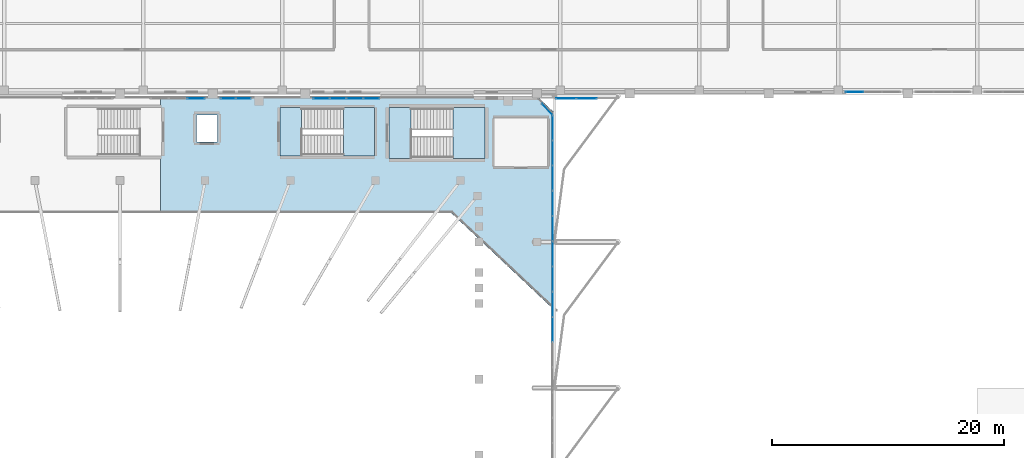
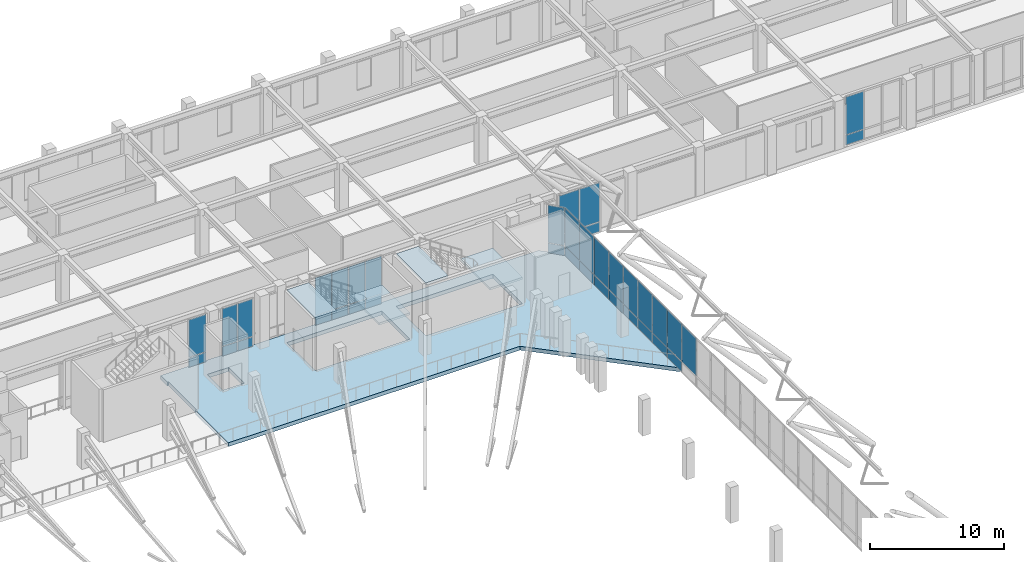
# One storey, part 48 of 79: 39 plates, 5 slabs, 9 elements without a shape of their own.
"""IFC4 building model written with IfcOpenShell, lengths in metres."""

from ifc_helpers import new_model, si_unit, derived_unit, direction, frame, origin, origin_2d, place, context, subcontext, project, spatial, polyline, rectangle, outline, extrude, material, layer, layer_set, type_object, element, aggregate, save


model = new_model("IFC4")

# Units and contexts
model_context = context("Model", 3, precision=1e-05, world=origin(), true_north=direction((0.0, 1.0)))
body_context = subcontext(model_context, "Body", "Model", "MODEL_VIEW")
ifc_project = project(units=[si_unit("LENGTHUNIT", "METRE"), si_unit("AREAUNIT", "SQUARE_METRE"), si_unit("VOLUMEUNIT", "CUBIC_METRE"), si_unit("PLANEANGLEUNIT", "RADIAN"), si_unit("MASSUNIT", "GRAM", prefix="KILO"), derived_unit("THERMALTRANSMITTANCEUNIT", [(si_unit("MASSUNIT", "GRAM", prefix="KILO"), 1), (si_unit("TIMEUNIT", "SECOND"), -3), (si_unit("THERMODYNAMICTEMPERATUREUNIT", "KELVIN"), -1)])], contexts=[model_context])

# Site, building, storey
site_placement = place(None, origin())
site = spatial("IfcSite", under=ifc_project, at=site_placement, CompositionType="ELEMENT")
building_placement = place(site_placement, origin())
building = spatial("IfcBuilding", under=site, at=building_placement, Name="Valcora Ridge Arena", CompositionType="ELEMENT")
storey_placement = place(building_placement, frame((0.0, 0.0, 16.199951171875)))
storey = spatial("IfcBuildingStorey", under=building, at=storey_placement, Name="L03", CompositionType="ELEMENT", Elevation=16.199951171875)

# Stair, slabs
ifc_material_1 = material(Name="Concrete C40/50", Category="concrete")
stair_type_1 = type_object("IfcStairType", Name="TY-STAIR-ES04-48", PredefinedType="HALF_TURN_STAIR", material=ifc_material_1)
stair_1_placement = place(storey_placement, origin())
stair_1 = element("IfcStair", 1, at=stair_1_placement, inside=storey, type_object=stair_type_1, Name="ES04-48 STR-ES-0016", PredefinedType="HALF_TURN_STAIR")
ifc_layer_1 = layer(ifc_material_1, 0.199951171875, Name="Concrete C40/50")
ifc_layer_set_1 = layer_set([ifc_layer_1], Name="Concrete C40/50")
slab_type_1 = type_object("IfcSlabType", Name="TY-LAND-ES04-48", PredefinedType="LANDING", material=ifc_layer_set_1)
slab_1_placement = place(storey_placement, frame((0.0, 0.0, 2.199951171875)))
slab_1 = element("IfcSlab", 2, at=slab_1_placement, type_object=slab_type_1, Name="ES04-48 landing 1", PredefinedType="LANDING", context=body_context, shape_type="SweptSolid", body=[
    extrude(outline(polyline([(77.280029296875, 103.001953125), (79.9580078125, 103.001953125), (79.9580078125, 107.197998046875), (77.280029296875, 107.197998046875), (77.280029296875, 103.001953125)])), origin(), (0.0, 0.0, 1.0), 0.2001953125),
])
slab_2_placement = place(storey_placement, frame((0.0, 0.0, 4.60009765625)))
slab_2 = element("IfcSlab", 3, at=slab_2_placement, type_object=slab_type_1, Name="ES04-48 landing 2", PredefinedType="LANDING", context=body_context, shape_type="SweptSolid", body=[
    extrude(outline(polyline([(71.802001953125, 103.001953125), (73.679931640625, 103.001953125), (73.679931640625, 107.197998046875), (71.802001953125, 107.197998046875), (71.802001953125, 103.001953125)])), origin(), (0.0, 0.0, 1.0), 0.199951171875),
])
aggregate(stair_1, [slab_1, slab_2])

stair_type_2 = type_object("IfcStairType", Name="TY-STAIR-ST04-48", PredefinedType="HALF_TURN_STAIR", material=ifc_material_1)
stair_2_placement = place(storey_placement, origin())
stair_2 = element("IfcStair", 4, at=stair_2_placement, inside=storey, type_object=stair_type_2, Name="ST04-48 STR-CR-0022", PredefinedType="HALF_TURN_STAIR")
ifc_layer_2 = layer(ifc_material_1, 0.199951171875, Name="Concrete C40/50")
ifc_layer_set_2 = layer_set([ifc_layer_2], Name="Concrete C40/50")
slab_type_2 = type_object("IfcSlabType", Name="TY-LAND-ST04-48", PredefinedType="LANDING", material=ifc_layer_set_2)
slab_3_placement = place(storey_placement, frame((0.0, 0.0, 2.199951171875)))
slab_3 = element("IfcSlab", 5, at=slab_3_placement, type_object=slab_type_2, Name="ST04-48 landing 1", PredefinedType="LANDING", context=body_context, shape_type="SweptSolid", body=[
    extrude(outline(polyline([(86.72998046875, 102.802001953125), (89.51806640625, 102.802001953125), (89.51806640625, 107.197998046875), (86.72998046875, 107.197998046875), (86.72998046875, 102.802001953125)])), origin(), (0.0, 0.0, 1.0), 0.2001953125),
])
slab_4_placement = place(storey_placement, frame((0.0, 0.0, 4.60009765625)))
slab_4 = element("IfcSlab", 6, at=slab_4_placement, type_object=slab_type_2, Name="ST04-48 landing 2", PredefinedType="LANDING", context=body_context, shape_type="SweptSolid", body=[
    extrude(outline(polyline([(81.201904296875, 102.802001953125), (83.1298828125, 102.802001953125), (83.1298828125, 107.197998046875), (81.201904296875, 107.197998046875), (81.201904296875, 102.802001953125)])), origin(), (0.0, 0.0, 1.0), 0.199951171875),
])
aggregate(stair_2, [slab_3, slab_4])

# Curtain wall, plates
ifc_material_2 = material(Name="Anodised dark bronze architectural aluminium 6063-T6", Category="aluminium")
ifc_layer_3 = layer(ifc_material_2, 0.179931640625, Name="Anodised dark bronze architectural aluminium 6063-T6")
ifc_layer_set_3 = layer_set([ifc_layer_3], Name="Anodised dark bronze architectural aluminium 6063-T6")
curtain_wall_type_1 = type_object("IfcCurtainWallType", Name="TY-CURTAINWALL-CW-V1-GOTH-027X44", PredefinedType="NOTDEFINED", material=ifc_layer_set_3)
curtain_wall_1_placement = place(storey_placement, origin())
curtain_wall_1 = element("IfcCurtainWall", 7, at=curtain_wall_1_placement, inside=storey, type_object=curtain_wall_type_1, Name="CW-V1-GOTH-027X44 CW-0144", PredefinedType="NOTDEFINED")
ifc_material_3 = material(Name="Low-iron solar-control double glazing SHGC 0.28", Category="glass")
ifc_layer_4 = layer(ifc_material_3, 0.031982421875, Name="Low-iron solar-control double glazing SHGC 0.28")
ifc_layer_set_4 = layer_set([ifc_layer_4], Name="Low-iron solar-control double glazing SHGC 0.28")
plate_type_1 = type_object("IfcPlateType", Name="TY-PLT-CWP-1270X0860", PredefinedType="CURTAIN_PANEL", material=ifc_layer_set_4)
plate_1_placement = place(storey_placement, frame((67.3349609375, 108.0, 0.06005859375), z_axis=(0.0, 0.0, 1.0), x_axis=(1.0, 0.0, 0.0)))
plate_1 = element("IfcPlate", 8, at=plate_1_placement, type_object=plate_type_1, Name="CW-0144/P00-00", PredefinedType="CURTAIN_PANEL", context=body_context, shape_type="SweptSolid", body=[
    extrude(rectangle(XDim=1.27001953125, YDim=0.031982421875, at=origin_2d()), origin(), (0.0, 0.0, 1.0), 0.860107421875),
])
plate_2_placement = place(storey_placement, frame((68.6650390625, 108.0, 0.06005859375), z_axis=(0.0, 0.0, 1.0), x_axis=(1.0, 0.0, 0.0)))
plate_2 = element("IfcPlate", 9, at=plate_2_placement, type_object=plate_type_1, Name="CW-0144/P01-00", PredefinedType="CURTAIN_PANEL", context=body_context, shape_type="SweptSolid", body=[
    extrude(rectangle(XDim=1.27001953125, YDim=0.031982421875, at=origin_2d()), origin(), (0.0, 0.0, 1.0), 0.860107421875),
])
ifc_layer_5 = layer(ifc_material_3, 0.031982421875, Name="Low-iron solar-control double glazing SHGC 0.28")
ifc_layer_set_5 = layer_set([ifc_layer_5], Name="Low-iron solar-control double glazing SHGC 0.28")
plate_type_2 = type_object("IfcPlateType", Name="TY-PLT-CWP-1270X3400", PredefinedType="CURTAIN_PANEL", material=ifc_layer_set_5)
plate_3_placement = place(storey_placement, frame((67.3349609375, 108.0, 0.97998046875), z_axis=(0.0, 0.0, 1.0), x_axis=(1.0, 0.0, 0.0)))
plate_3 = element("IfcPlate", 10, at=plate_3_placement, type_object=plate_type_2, Name="CW-0144/P00-01", PredefinedType="CURTAIN_PANEL", context=body_context, shape_type="SweptSolid", body=[
    extrude(rectangle(XDim=1.27001953125, YDim=0.031982421875, at=origin_2d()), origin(), (0.0, 0.0, 1.0), 3.39990234375),
])
plate_4_placement = place(storey_placement, frame((68.6650390625, 108.0, 0.97998046875), z_axis=(0.0, 0.0, 1.0), x_axis=(1.0, 0.0, 0.0)))
plate_4 = element("IfcPlate", 11, at=plate_4_placement, type_object=plate_type_2, Name="CW-0144/P01-01", PredefinedType="CURTAIN_PANEL", context=body_context, shape_type="SweptSolid", body=[
    extrude(rectangle(XDim=1.27001953125, YDim=0.031982421875, at=origin_2d()), origin(), (0.0, 0.0, 1.0), 3.39990234375),
])
aggregate(curtain_wall_1, [plate_1, plate_3, plate_2, plate_4])

ifc_layer_6 = layer(ifc_material_2, 0.14990234375, Name="Anodised dark bronze architectural aluminium 6063-T6")
ifc_layer_set_6 = layer_set([ifc_layer_6], Name="Anodised dark bronze architectural aluminium 6063-T6")
curtain_wall_type_2 = type_object("IfcCurtainWallType", Name="TY-CURTAINWALL-CW-V1-EAST-014X44", PredefinedType="NOTDEFINED", material=ifc_layer_set_6)
curtain_wall_2_placement = place(storey_placement, origin())
curtain_wall_2 = element("IfcCurtainWall", 12, at=curtain_wall_2_placement, inside=storey, type_object=curtain_wall_type_2, Name="CW-V1-EAST-014X44 CW-0148", PredefinedType="NOTDEFINED")
ifc_layer_7 = layer(ifc_material_3, 0.028076171875, Name="Low-iron solar-control double glazing SHGC 0.28")
ifc_layer_set_7 = layer_set([ifc_layer_7], Name="Low-iron solar-control double glazing SHGC 0.28")
plate_type_3 = type_object("IfcPlateType", Name="TY-PLT-CWP-1287X0875", PredefinedType="CURTAIN_PANEL", material=ifc_layer_set_7)
plate_5_placement = place(storey_placement, frame((94.878173828125, 107.054443359375, 0.050048828125), z_axis=(0.0, 0.0, 1.0), x_axis=(-0.680491979132, 0.732755529721, 0.0)))
plate_5 = element("IfcPlate", 13, at=plate_5_placement, type_object=plate_type_3, Name="CW-0148/P00-00", PredefinedType="CURTAIN_PANEL", context=body_context, shape_type="SweptSolid", body=[
    extrude(rectangle(XDim=1.287109375, YDim=0.028076171875, at=origin_2d()), origin(), (0.0, 0.0, 1.0), 0.875),
])
ifc_layer_8 = layer(ifc_material_3, 0.028076171875, Name="Low-iron solar-control double glazing SHGC 0.28")
ifc_layer_set_8 = layer_set([ifc_layer_8], Name="Low-iron solar-control double glazing SHGC 0.28")
plate_type_4 = type_object("IfcPlateType", Name="TY-PLT-CWP-1287X3415", PredefinedType="CURTAIN_PANEL", material=ifc_layer_set_8)
plate_6_placement = place(storey_placement, frame((94.878173828125, 107.054443359375, 0.97509765625), z_axis=(0.0, 0.0, 1.0), x_axis=(-0.680491979132, 0.732755529721, 0.0)))
plate_6 = element("IfcPlate", 14, at=plate_6_placement, type_object=plate_type_4, Name="CW-0148/P00-01", PredefinedType="CURTAIN_PANEL", context=body_context, shape_type="SweptSolid", body=[
    extrude(rectangle(XDim=1.287109375, YDim=0.028076171875, at=origin_2d()), origin(), (0.0, 0.0, 1.0), 3.4150390625),
])
aggregate(curtain_wall_2, [plate_5, plate_6])

ifc_layer_9 = layer(ifc_material_2, 0.179931640625, Name="Anodised dark bronze architectural aluminium 6063-T6")
ifc_layer_set_9 = layer_set([ifc_layer_9], Name="Anodised dark bronze architectural aluminium 6063-T6")
curtain_wall_type_3 = type_object("IfcCurtainWallType", Name="TY-CURTAINWALL-CW-V1-GOTH-058X44", PredefinedType="NOTDEFINED", material=ifc_layer_set_9)
curtain_wall_3_placement = place(storey_placement, origin())
curtain_wall_3 = element("IfcCurtainWall", 15, at=curtain_wall_3_placement, inside=storey, type_object=curtain_wall_type_3, Name="CW-V1-GOTH-058X44 CW-0145", PredefinedType="NOTDEFINED")
ifc_layer_10 = layer(ifc_material_3, 0.031982421875, Name="Low-iron solar-control double glazing SHGC 0.28")
ifc_layer_set_10 = layer_set([ifc_layer_10], Name="Low-iron solar-control double glazing SHGC 0.28")
plate_type_5 = type_object("IfcPlateType", Name="TY-PLT-CWP-1362X0860", PredefinedType="CURTAIN_PANEL", material=ifc_layer_set_10)
plate_7_placement = place(storey_placement, frame((75.381103515625, 108.0, 0.06005859375), z_axis=(0.0, 0.0, 1.0), x_axis=(1.0, 0.0, 0.0)))
plate_7 = element("IfcPlate", 16, at=plate_7_placement, type_object=plate_type_5, Name="CW-0145/P00-00", PredefinedType="CURTAIN_PANEL", context=body_context, shape_type="SweptSolid", body=[
    extrude(rectangle(XDim=1.362060546875, YDim=0.031982421875, at=origin_2d()), origin(), (0.0, 0.0, 1.0), 0.860107421875),
])
plate_8_placement = place(storey_placement, frame((79.708984375, 108.0, 0.06005859375), z_axis=(0.0, 0.0, 1.0), x_axis=(1.0, 0.0, 0.0)))
plate_8 = element("IfcPlate", 17, at=plate_8_placement, type_object=plate_type_5, Name="CW-0145/P03-00", PredefinedType="CURTAIN_PANEL", context=body_context, shape_type="SweptSolid", body=[
    extrude(rectangle(XDim=1.362060546875, YDim=0.031982421875, at=origin_2d()), origin(), (0.0, 0.0, 1.0), 0.860107421875),
])
ifc_layer_11 = layer(ifc_material_3, 0.031982421875, Name="Low-iron solar-control double glazing SHGC 0.28")
ifc_layer_set_11 = layer_set([ifc_layer_11], Name="Low-iron solar-control double glazing SHGC 0.28")
plate_type_6 = type_object("IfcPlateType", Name="TY-PLT-CWP-1362X3400", PredefinedType="CURTAIN_PANEL", material=ifc_layer_set_11)
plate_9_placement = place(storey_placement, frame((75.381103515625, 108.0, 0.97998046875), z_axis=(0.0, 0.0, 1.0), x_axis=(1.0, 0.0, 0.0)))
plate_9 = element("IfcPlate", 18, at=plate_9_placement, type_object=plate_type_6, Name="CW-0145/P00-01", PredefinedType="CURTAIN_PANEL", context=body_context, shape_type="SweptSolid", body=[
    extrude(rectangle(XDim=1.362060546875, YDim=0.031982421875, at=origin_2d()), origin(), (0.0, 0.0, 1.0), 3.39990234375),
])
plate_10_placement = place(storey_placement, frame((79.708984375, 108.0, 0.97998046875), z_axis=(0.0, 0.0, 1.0), x_axis=(1.0, 0.0, 0.0)))
plate_10 = element("IfcPlate", 19, at=plate_10_placement, type_object=plate_type_6, Name="CW-0145/P03-01", PredefinedType="CURTAIN_PANEL", context=body_context, shape_type="SweptSolid", body=[
    extrude(rectangle(XDim=1.362060546875, YDim=0.031982421875, at=origin_2d()), origin(), (0.0, 0.0, 1.0), 3.39990234375),
])
ifc_layer_12 = layer(ifc_material_3, 0.031982421875, Name="Low-iron solar-control double glazing SHGC 0.28")
ifc_layer_set_12 = layer_set([ifc_layer_12], Name="Low-iron solar-control double glazing SHGC 0.28")
plate_type_7 = type_object("IfcPlateType", Name="TY-PLT-CWP-1392X0860", PredefinedType="CURTAIN_PANEL", material=ifc_layer_set_12)
plate_11_placement = place(storey_placement, frame((78.27099609375, 108.0, 0.06005859375), z_axis=(0.0, 0.0, 1.0), x_axis=(1.0, 0.0, 0.0)))
plate_11 = element("IfcPlate", 20, at=plate_11_placement, type_object=plate_type_7, Name="CW-0145/P02-00", PredefinedType="CURTAIN_PANEL", context=body_context, shape_type="SweptSolid", body=[
    extrude(rectangle(XDim=1.39208984375, YDim=0.031982421875, at=origin_2d()), origin(), (0.0, 0.0, 1.0), 0.860107421875),
])
ifc_layer_13 = layer(ifc_material_3, 0.031982421875, Name="Low-iron solar-control double glazing SHGC 0.28")
ifc_layer_set_13 = layer_set([ifc_layer_13], Name="Low-iron solar-control double glazing SHGC 0.28")
plate_type_8 = type_object("IfcPlateType", Name="TY-PLT-CWP-1392X3400", PredefinedType="CURTAIN_PANEL", material=ifc_layer_set_13)
plate_12_placement = place(storey_placement, frame((78.27099609375, 108.0, 0.97998046875), z_axis=(0.0, 0.0, 1.0), x_axis=(1.0, 0.0, 0.0)))
plate_12 = element("IfcPlate", 21, at=plate_12_placement, type_object=plate_type_8, Name="CW-0145/P02-01", PredefinedType="CURTAIN_PANEL", context=body_context, shape_type="SweptSolid", body=[
    extrude(rectangle(XDim=1.39208984375, YDim=0.031982421875, at=origin_2d()), origin(), (0.0, 0.0, 1.0), 3.39990234375),
])
ifc_layer_14 = layer(ifc_material_3, 0.031982421875, Name="Low-iron solar-control double glazing SHGC 0.28")
ifc_layer_set_14 = layer_set([ifc_layer_14], Name="Low-iron solar-control double glazing SHGC 0.28")
plate_type_9 = type_object("IfcPlateType", Name="TY-PLT-CWP-1393X0860", PredefinedType="CURTAIN_PANEL", material=ifc_layer_set_14)
plate_13_placement = place(storey_placement, frame((76.818603515625, 108.0, 0.06005859375), z_axis=(0.0, 0.0, 1.0), x_axis=(1.0, 0.0, 0.0)))
plate_13 = element("IfcPlate", 22, at=plate_13_placement, type_object=plate_type_9, Name="CW-0145/P01-00", PredefinedType="CURTAIN_PANEL", context=body_context, shape_type="SweptSolid", body=[
    extrude(rectangle(XDim=1.39306640625, YDim=0.031982421875, at=origin_2d()), origin(), (0.0, 0.0, 1.0), 0.860107421875),
])
ifc_layer_15 = layer(ifc_material_3, 0.031982421875, Name="Low-iron solar-control double glazing SHGC 0.28")
ifc_layer_set_15 = layer_set([ifc_layer_15], Name="Low-iron solar-control double glazing SHGC 0.28")
plate_type_10 = type_object("IfcPlateType", Name="TY-PLT-CWP-1393X3400", PredefinedType="CURTAIN_PANEL", material=ifc_layer_set_15)
plate_14_placement = place(storey_placement, frame((76.818603515625, 108.0, 0.97998046875), z_axis=(0.0, 0.0, 1.0), x_axis=(1.0, 0.0, 0.0)))
plate_14 = element("IfcPlate", 23, at=plate_14_placement, type_object=plate_type_10, Name="CW-0145/P01-01", PredefinedType="CURTAIN_PANEL", context=body_context, shape_type="SweptSolid", body=[
    extrude(rectangle(XDim=1.39306640625, YDim=0.031982421875, at=origin_2d()), origin(), (0.0, 0.0, 1.0), 3.39990234375),
])
aggregate(curtain_wall_3, [plate_7, plate_9, plate_13, plate_14, plate_11, plate_12, plate_8, plate_10])

ifc_layer_16 = layer(ifc_material_2, 0.179931640625, Name="Anodised dark bronze architectural aluminium 6063-T6")
ifc_layer_set_16 = layer_set([ifc_layer_16], Name="Anodised dark bronze architectural aluminium 6063-T6")
curtain_wall_type_4 = type_object("IfcCurtainWallType", Name="TY-CURTAINWALL-CW-V1-GOTH-047X44", PredefinedType="NOTDEFINED", material=ifc_layer_set_16)
curtain_wall_4_placement = place(storey_placement, origin())
curtain_wall_4 = element("IfcCurtainWall", 24, at=curtain_wall_4_placement, inside=storey, type_object=curtain_wall_type_4, Name="CW-V1-GOTH-047X44 CW-0143", PredefinedType="NOTDEFINED")
ifc_layer_17 = layer(ifc_material_3, 0.031982421875, Name="Low-iron solar-control double glazing SHGC 0.28")
ifc_layer_set_17 = layer_set([ifc_layer_17], Name="Low-iron solar-control double glazing SHGC 0.28")
plate_type_11 = type_object("IfcPlateType", Name="TY-PLT-CWP-1492X0860", PredefinedType="CURTAIN_PANEL", material=ifc_layer_set_17)
plate_15_placement = place(storey_placement, frame((64.553955078125, 108.0, 0.06005859375), z_axis=(0.0, 0.0, 1.0), x_axis=(1.0, 0.0, 0.0)))
plate_15 = element("IfcPlate", 25, at=plate_15_placement, type_object=plate_type_11, Name="CW-0143/P02-00", PredefinedType="CURTAIN_PANEL", context=body_context, shape_type="SweptSolid", body=[
    extrude(rectangle(XDim=1.491943359375, YDim=0.031982421875, at=origin_2d()), origin(), (0.0, 0.0, 1.0), 0.860107421875),
])
ifc_layer_18 = layer(ifc_material_3, 0.031982421875, Name="Low-iron solar-control double glazing SHGC 0.28")
ifc_layer_set_18 = layer_set([ifc_layer_18], Name="Low-iron solar-control double glazing SHGC 0.28")
plate_type_12 = type_object("IfcPlateType", Name="TY-PLT-CWP-1492X3400", PredefinedType="CURTAIN_PANEL", material=ifc_layer_set_18)
plate_16_placement = place(storey_placement, frame((64.553955078125, 108.0, 0.97998046875), z_axis=(0.0, 0.0, 1.0), x_axis=(1.0, 0.0, 0.0)))
plate_16 = element("IfcPlate", 26, at=plate_16_placement, type_object=plate_type_12, Name="CW-0143/P02-01", PredefinedType="CURTAIN_PANEL", context=body_context, shape_type="SweptSolid", body=[
    extrude(rectangle(XDim=1.491943359375, YDim=0.031982421875, at=origin_2d()), origin(), (0.0, 0.0, 1.0), 3.39990234375),
])
aggregate(curtain_wall_4, [plate_15, plate_16])

ifc_layer_19 = layer(ifc_material_2, 0.14990234375, Name="Anodised dark bronze architectural aluminium 6063-T6")
ifc_layer_set_19 = layer_set([ifc_layer_19], Name="Anodised dark bronze architectural aluminium 6063-T6")
curtain_wall_type_5 = type_object("IfcCurtainWallType", Name="TY-CURTAINWALL-CW-V5-MED-047X45", PredefinedType="NOTDEFINED", material=ifc_layer_set_19)
curtain_wall_5_placement = place(storey_placement, origin())
curtain_wall_5 = element("IfcCurtainWall", 27, at=curtain_wall_5_placement, inside=storey, type_object=curtain_wall_type_5, Name="CW-V5-MED-047X45 CW-0336", PredefinedType="NOTDEFINED")
ifc_layer_20 = layer(ifc_material_3, 0.028076171875, Name="Low-iron solar-control double glazing SHGC 0.28")
ifc_layer_set_20 = layer_set([ifc_layer_20], Name="Low-iron solar-control double glazing SHGC 0.28")
plate_type_13 = type_object("IfcPlateType", Name="TY-PLT-CWP-1507X0875", PredefinedType="CURTAIN_PANEL", material=ifc_layer_set_20)
plate_17_placement = place(storey_placement, frame((121.41845703125, 108.550048828125, 0.050048828125), z_axis=(0.0, 0.0, 1.0), x_axis=(1.0, 0.0, 0.0)))
plate_17 = element("IfcPlate", 28, at=plate_17_placement, type_object=plate_type_13, Name="CW-0336/P00-00", PredefinedType="CURTAIN_PANEL", context=body_context, shape_type="SweptSolid", body=[
    extrude(rectangle(XDim=1.507080078125, YDim=0.028076171875, at=origin_2d()), origin(), (0.0, 0.0, 1.0), 0.875),
])
ifc_layer_21 = layer(ifc_material_3, 0.028076171875, Name="Low-iron solar-control double glazing SHGC 0.28")
ifc_layer_set_21 = layer_set([ifc_layer_21], Name="Low-iron solar-control double glazing SHGC 0.28")
plate_type_14 = type_object("IfcPlateType", Name="TY-PLT-CWP-1507X3435", PredefinedType="CURTAIN_PANEL", material=ifc_layer_set_21)
plate_18_placement = place(storey_placement, frame((121.41845703125, 108.550048828125, 0.97509765625), z_axis=(0.0, 0.0, 1.0), x_axis=(1.0, 0.0, 0.0)))
plate_18 = element("IfcPlate", 29, at=plate_18_placement, type_object=plate_type_14, Name="CW-0336/P00-01", PredefinedType="CURTAIN_PANEL", context=body_context, shape_type="SweptSolid", body=[
    extrude(rectangle(XDim=1.507080078125, YDim=0.028076171875, at=origin_2d()), origin(), (0.0, 0.0, 1.0), 3.43505859375),
])
aggregate(curtain_wall_5, [plate_17, plate_18])

ifc_layer_22 = layer(ifc_material_2, 0.179931640625, Name="Anodised dark bronze architectural aluminium 6063-T6")
ifc_layer_set_22 = layer_set([ifc_layer_22], Name="Anodised dark bronze architectural aluminium 6063-T6")
curtain_wall_type_6 = type_object("IfcCurtainWallType", Name="TY-CURTAINWALL-CW-V1-TYMPN-036X46", PredefinedType="NOTDEFINED", material=ifc_layer_set_22)
curtain_wall_6_placement = place(storey_placement, origin())
curtain_wall_6 = element("IfcCurtainWall", 30, at=curtain_wall_6_placement, inside=storey, type_object=curtain_wall_type_6, Name="CW-V1-TYMPN-036X46 CW-0183", PredefinedType="NOTDEFINED")
ifc_layer_23 = layer(ifc_material_3, 0.031982421875, Name="Low-iron solar-control double glazing SHGC 0.28")
ifc_layer_set_23 = layer_set([ifc_layer_23], Name="Low-iron solar-control double glazing SHGC 0.28")
plate_type_15 = type_object("IfcPlateType", Name="TY-PLT-CWP-1710X0860", PredefinedType="CURTAIN_PANEL", material=ifc_layer_set_23)
plate_19_placement = place(storey_placement, frame((96.514892578125, 107.97998046875, 0.06005859375), z_axis=(0.0, 0.0, 1.0), x_axis=(1.0, 0.0, 0.0)))
plate_19 = element("IfcPlate", 31, at=plate_19_placement, type_object=plate_type_15, Name="CW-0183/P00-00", PredefinedType="CURTAIN_PANEL", context=body_context, shape_type="SweptSolid", body=[
    extrude(rectangle(XDim=1.7099609375, YDim=0.031982421875, at=origin_2d()), origin(), (0.0, 0.0, 1.0), 0.860107421875),
])
plate_20_placement = place(storey_placement, frame((98.284912109375, 107.97998046875, 0.06005859375), z_axis=(0.0, 0.0, 1.0), x_axis=(1.0, 0.0, 0.0)))
plate_20 = element("IfcPlate", 32, at=plate_20_placement, type_object=plate_type_15, Name="CW-0183/P01-00", PredefinedType="CURTAIN_PANEL", context=body_context, shape_type="SweptSolid", body=[
    extrude(rectangle(XDim=1.7099609375, YDim=0.031982421875, at=origin_2d()), origin(), (0.0, 0.0, 1.0), 0.860107421875),
])
ifc_layer_24 = layer(ifc_material_3, 0.031982421875, Name="Low-iron solar-control double glazing SHGC 0.28")
ifc_layer_set_24 = layer_set([ifc_layer_24], Name="Low-iron solar-control double glazing SHGC 0.28")
plate_type_16 = type_object("IfcPlateType", Name="TY-PLT-CWP-1710X3539", PredefinedType="CURTAIN_PANEL", material=ifc_layer_set_24)
plate_21_placement = place(storey_placement, frame((96.514892578125, 107.97998046875, 0.97998046875), z_axis=(0.0, 0.0, 1.0), x_axis=(1.0, 0.0, 0.0)))
plate_21 = element("IfcPlate", 33, at=plate_21_placement, type_object=plate_type_16, Name="CW-0183/P00-01", PredefinedType="CURTAIN_PANEL", context=body_context, shape_type="SweptSolid", body=[
    extrude(rectangle(XDim=1.7099609375, YDim=0.031982421875, at=origin_2d()), origin(), (0.0, 0.0, 1.0), 3.5390625),
])
plate_22_placement = place(storey_placement, frame((98.284912109375, 107.97998046875, 0.97998046875), z_axis=(0.0, 0.0, 1.0), x_axis=(1.0, 0.0, 0.0)))
plate_22 = element("IfcPlate", 34, at=plate_22_placement, type_object=plate_type_16, Name="CW-0183/P01-01", PredefinedType="CURTAIN_PANEL", context=body_context, shape_type="SweptSolid", body=[
    extrude(rectangle(XDim=1.7099609375, YDim=0.031982421875, at=origin_2d()), origin(), (0.0, 0.0, 1.0), 3.5390625),
])
aggregate(curtain_wall_6, [plate_19, plate_21, plate_20, plate_22])

ifc_layer_25 = layer(ifc_material_2, 0.14990234375, Name="Anodised dark bronze architectural aluminium 6063-T6")
ifc_layer_set_25 = layer_set([ifc_layer_25], Name="Anodised dark bronze architectural aluminium 6063-T6")
curtain_wall_type_7 = type_object("IfcCurtainWallType", Name="TY-CURTAINWALL-CW-V1-EAST-849X44", PredefinedType="NOTDEFINED", material=ifc_layer_set_25)
curtain_wall_7_placement = place(storey_placement, origin())
curtain_wall_7 = element("IfcCurtainWall", 35, at=curtain_wall_7_placement, inside=storey, type_object=curtain_wall_type_7, Name="CW-V1-EAST-849X44 CW-0147", PredefinedType="NOTDEFINED")
ifc_layer_26 = layer(ifc_material_3, 0.028076171875, Name="Low-iron solar-control double glazing SHGC 0.28")
ifc_layer_set_26 = layer_set([ifc_layer_26], Name="Low-iron solar-control double glazing SHGC 0.28")
plate_type_17 = type_object("IfcPlateType", Name="TY-PLT-CWP-2101X0875", PredefinedType="CURTAIN_PANEL", material=ifc_layer_set_26)
plate_23_placement = place(storey_placement, frame((95.35009765625, 105.4453125, 0.050048828125), z_axis=(0.0, 0.0, 1.0), x_axis=(0.0, 1.0, 0.0)))
plate_23 = element("IfcPlate", 36, at=plate_23_placement, type_object=plate_type_17, Name="CW-0147/P38-00", PredefinedType="CURTAIN_PANEL", context=body_context, shape_type="SweptSolid", body=[
    extrude(rectangle(XDim=2.10107421875, YDim=0.028076171875, at=origin_2d()), origin(), (0.0, 0.0, 1.0), 0.875),
])
ifc_layer_27 = layer(ifc_material_3, 0.028076171875, Name="Low-iron solar-control double glazing SHGC 0.28")
ifc_layer_set_27 = layer_set([ifc_layer_27], Name="Low-iron solar-control double glazing SHGC 0.28")
plate_type_18 = type_object("IfcPlateType", Name="TY-PLT-CWP-2101X3415", PredefinedType="CURTAIN_PANEL", material=ifc_layer_set_27)
plate_24_placement = place(storey_placement, frame((95.35009765625, 105.4453125, 0.97509765625), z_axis=(0.0, 0.0, 1.0), x_axis=(0.0, 1.0, 0.0)))
plate_24 = element("IfcPlate", 37, at=plate_24_placement, type_object=plate_type_18, Name="CW-0147/P38-01", PredefinedType="CURTAIN_PANEL", context=body_context, shape_type="SweptSolid", body=[
    extrude(rectangle(XDim=2.10107421875, YDim=0.028076171875, at=origin_2d()), origin(), (0.0, 0.0, 1.0), 3.4150390625),
])
ifc_layer_28 = layer(ifc_material_3, 0.028076171875, Name="Low-iron solar-control double glazing SHGC 0.28")
ifc_layer_set_28 = layer_set([ifc_layer_28], Name="Low-iron solar-control double glazing SHGC 0.28")
plate_type_19 = type_object("IfcPlateType", Name="TY-PLT-CWP-2126X0875", PredefinedType="CURTAIN_PANEL", material=ifc_layer_set_28)
plate_25_placement = place(storey_placement, frame((95.35009765625, 90.220703125, 0.050048828125), z_axis=(0.0, 0.0, 1.0), x_axis=(0.0, 1.0, 0.0)))
plate_25 = element("IfcPlate", 38, at=plate_25_placement, type_object=plate_type_19, Name="CW-0147/P31-00", PredefinedType="CURTAIN_PANEL", context=body_context, shape_type="SweptSolid", body=[
    extrude(rectangle(XDim=2.1259765625, YDim=0.028076171875, at=origin_2d()), origin(), (0.0, 0.0, 1.0), 0.875),
])
plate_26_placement = place(storey_placement, frame((95.35009765625, 96.750732421875, 0.050048828125), z_axis=(0.0, 0.0, 1.0), x_axis=(0.0, 1.0, 0.0)))
plate_26 = element("IfcPlate", 39, at=plate_26_placement, type_object=plate_type_19, Name="CW-0147/P34-00", PredefinedType="CURTAIN_PANEL", context=body_context, shape_type="SweptSolid", body=[
    extrude(rectangle(XDim=2.1259765625, YDim=0.028076171875, at=origin_2d()), origin(), (0.0, 0.0, 1.0), 0.875),
])
ifc_layer_29 = layer(ifc_material_3, 0.028076171875, Name="Low-iron solar-control double glazing SHGC 0.28")
ifc_layer_set_29 = layer_set([ifc_layer_29], Name="Low-iron solar-control double glazing SHGC 0.28")
plate_type_20 = type_object("IfcPlateType", Name="TY-PLT-CWP-2126X3415", PredefinedType="CURTAIN_PANEL", material=ifc_layer_set_29)
plate_27_placement = place(storey_placement, frame((95.35009765625, 90.220703125, 0.97509765625), z_axis=(0.0, 0.0, 1.0), x_axis=(0.0, 1.0, 0.0)))
plate_27 = element("IfcPlate", 40, at=plate_27_placement, type_object=plate_type_20, Name="CW-0147/P31-01", PredefinedType="CURTAIN_PANEL", context=body_context, shape_type="SweptSolid", body=[
    extrude(rectangle(XDim=2.1259765625, YDim=0.028076171875, at=origin_2d()), origin(), (0.0, 0.0, 1.0), 3.4150390625),
])
plate_28_placement = place(storey_placement, frame((95.35009765625, 96.750732421875, 0.97509765625), z_axis=(0.0, 0.0, 1.0), x_axis=(0.0, 1.0, 0.0)))
plate_28 = element("IfcPlate", 41, at=plate_28_placement, type_object=plate_type_20, Name="CW-0147/P34-01", PredefinedType="CURTAIN_PANEL", context=body_context, shape_type="SweptSolid", body=[
    extrude(rectangle(XDim=2.1259765625, YDim=0.028076171875, at=origin_2d()), origin(), (0.0, 0.0, 1.0), 3.4150390625),
])
ifc_layer_30 = layer(ifc_material_3, 0.028076171875, Name="Low-iron solar-control double glazing SHGC 0.28")
ifc_layer_set_30 = layer_set([ifc_layer_30], Name="Low-iron solar-control double glazing SHGC 0.28")
plate_type_21 = type_object("IfcPlateType", Name="TY-PLT-CWP-2127X0875", PredefinedType="CURTAIN_PANEL", material=ifc_layer_set_30)
plate_29_placement = place(storey_placement, frame((95.35009765625, 92.397216796875, 0.050048828125), z_axis=(0.0, 0.0, 1.0), x_axis=(0.0, 1.0, 0.0)))
plate_29 = element("IfcPlate", 42, at=plate_29_placement, type_object=plate_type_21, Name="CW-0147/P32-00", PredefinedType="CURTAIN_PANEL", context=body_context, shape_type="SweptSolid", body=[
    extrude(rectangle(XDim=2.126953125, YDim=0.028076171875, at=origin_2d()), origin(), (0.0, 0.0, 1.0), 0.875),
])
plate_30_placement = place(storey_placement, frame((95.35009765625, 94.57421875, 0.050048828125), z_axis=(0.0, 0.0, 1.0), x_axis=(0.0, 1.0, 0.0)))
plate_30 = element("IfcPlate", 43, at=plate_30_placement, type_object=plate_type_21, Name="CW-0147/P33-00", PredefinedType="CURTAIN_PANEL", context=body_context, shape_type="SweptSolid", body=[
    extrude(rectangle(XDim=2.126953125, YDim=0.028076171875, at=origin_2d()), origin(), (0.0, 0.0, 1.0), 0.875),
])
plate_31_placement = place(storey_placement, frame((95.35009765625, 98.92724609375, 0.050048828125), z_axis=(0.0, 0.0, 1.0), x_axis=(0.0, 1.0, 0.0)))
plate_31 = element("IfcPlate", 44, at=plate_31_placement, type_object=plate_type_21, Name="CW-0147/P35-00", PredefinedType="CURTAIN_PANEL", context=body_context, shape_type="SweptSolid", body=[
    extrude(rectangle(XDim=2.126953125, YDim=0.028076171875, at=origin_2d()), origin(), (0.0, 0.0, 1.0), 0.875),
])
plate_32_placement = place(storey_placement, frame((95.35009765625, 101.104248046875, 0.050048828125), z_axis=(0.0, 0.0, 1.0), x_axis=(0.0, 1.0, 0.0)))
plate_32 = element("IfcPlate", 45, at=plate_32_placement, type_object=plate_type_21, Name="CW-0147/P36-00", PredefinedType="CURTAIN_PANEL", context=body_context, shape_type="SweptSolid", body=[
    extrude(rectangle(XDim=2.126953125, YDim=0.028076171875, at=origin_2d()), origin(), (0.0, 0.0, 1.0), 0.875),
])
plate_33_placement = place(storey_placement, frame((95.35009765625, 103.28125, 0.050048828125), z_axis=(0.0, 0.0, 1.0), x_axis=(0.0, 1.0, 0.0)))
plate_33 = element("IfcPlate", 46, at=plate_33_placement, type_object=plate_type_21, Name="CW-0147/P37-00", PredefinedType="CURTAIN_PANEL", context=body_context, shape_type="SweptSolid", body=[
    extrude(rectangle(XDim=2.126953125, YDim=0.028076171875, at=origin_2d()), origin(), (0.0, 0.0, 1.0), 0.875),
])
ifc_layer_31 = layer(ifc_material_3, 0.028076171875, Name="Low-iron solar-control double glazing SHGC 0.28")
ifc_layer_set_31 = layer_set([ifc_layer_31], Name="Low-iron solar-control double glazing SHGC 0.28")
plate_type_22 = type_object("IfcPlateType", Name="TY-PLT-CWP-2127X3415", PredefinedType="CURTAIN_PANEL", material=ifc_layer_set_31)
plate_34_placement = place(storey_placement, frame((95.35009765625, 88.044189453125, 0.97509765625), z_axis=(0.0, 0.0, 1.0), x_axis=(0.0, 1.0, 0.0)))
plate_34 = element("IfcPlate", 47, at=plate_34_placement, type_object=plate_type_22, Name="CW-0147/P30-01", PredefinedType="CURTAIN_PANEL", context=body_context, shape_type="SweptSolid", body=[
    extrude(rectangle(XDim=2.126953125, YDim=0.028076171875, at=origin_2d()), origin(), (0.0, 0.0, 1.0), 3.4150390625),
])
plate_35_placement = place(storey_placement, frame((95.35009765625, 92.397216796875, 0.97509765625), z_axis=(0.0, 0.0, 1.0), x_axis=(0.0, 1.0, 0.0)))
plate_35 = element("IfcPlate", 48, at=plate_35_placement, type_object=plate_type_22, Name="CW-0147/P32-01", PredefinedType="CURTAIN_PANEL", context=body_context, shape_type="SweptSolid", body=[
    extrude(rectangle(XDim=2.126953125, YDim=0.028076171875, at=origin_2d()), origin(), (0.0, 0.0, 1.0), 3.4150390625),
])
plate_36_placement = place(storey_placement, frame((95.35009765625, 94.57421875, 0.97509765625), z_axis=(0.0, 0.0, 1.0), x_axis=(0.0, 1.0, 0.0)))
plate_36 = element("IfcPlate", 49, at=plate_36_placement, type_object=plate_type_22, Name="CW-0147/P33-01", PredefinedType="CURTAIN_PANEL", context=body_context, shape_type="SweptSolid", body=[
    extrude(rectangle(XDim=2.126953125, YDim=0.028076171875, at=origin_2d()), origin(), (0.0, 0.0, 1.0), 3.4150390625),
])
plate_37_placement = place(storey_placement, frame((95.35009765625, 98.92724609375, 0.97509765625), z_axis=(0.0, 0.0, 1.0), x_axis=(0.0, 1.0, 0.0)))
plate_37 = element("IfcPlate", 50, at=plate_37_placement, type_object=plate_type_22, Name="CW-0147/P35-01", PredefinedType="CURTAIN_PANEL", context=body_context, shape_type="SweptSolid", body=[
    extrude(rectangle(XDim=2.126953125, YDim=0.028076171875, at=origin_2d()), origin(), (0.0, 0.0, 1.0), 3.4150390625),
])
plate_38_placement = place(storey_placement, frame((95.35009765625, 101.104248046875, 0.97509765625), z_axis=(0.0, 0.0, 1.0), x_axis=(0.0, 1.0, 0.0)))
plate_38 = element("IfcPlate", 51, at=plate_38_placement, type_object=plate_type_22, Name="CW-0147/P36-01", PredefinedType="CURTAIN_PANEL", context=body_context, shape_type="SweptSolid", body=[
    extrude(rectangle(XDim=2.126953125, YDim=0.028076171875, at=origin_2d()), origin(), (0.0, 0.0, 1.0), 3.4150390625),
])
plate_39_placement = place(storey_placement, frame((95.35009765625, 103.28125, 0.97509765625), z_axis=(0.0, 0.0, 1.0), x_axis=(0.0, 1.0, 0.0)))
plate_39 = element("IfcPlate", 52, at=plate_39_placement, type_object=plate_type_22, Name="CW-0147/P37-01", PredefinedType="CURTAIN_PANEL", context=body_context, shape_type="SweptSolid", body=[
    extrude(rectangle(XDim=2.126953125, YDim=0.028076171875, at=origin_2d()), origin(), (0.0, 0.0, 1.0), 3.4150390625),
])
aggregate(curtain_wall_7, [plate_34, plate_25, plate_27, plate_29, plate_35, plate_30, plate_36, plate_26, plate_28, plate_31, plate_37, plate_32, plate_38, plate_33, plate_39, plate_23, plate_24])

# Slab
ifc_layer_32 = layer(ifc_material_1, 0.35009765625, Name="Concrete C40/50")
ifc_layer_set_32 = layer_set([ifc_layer_32], Name="Concrete C40/50")
slab_type_3 = type_object("IfcSlabType", Name="TY-SLAB-SL-SUIT-350-NE", PredefinedType="FLOOR", material=ifc_layer_set_32)
slab_5_placement = place(storey_placement, frame((0.0, 0.0, -0.349853515625)))
element("IfcSlab", 53, at=slab_5_placement, inside=storey, type_object=slab_type_3, Name="SL-SUIT-350-NE SLB-0044", PredefinedType="FLOOR", context=body_context, shape_type="SweptSolid", body=[
    extrude(outline(polyline([(94.0, 108.199951171875), (61.5, 108.199951171875), (61.5, 107.199951171875), (61.60009765625, 107.199951171875), (61.60009765625, 103.0), (61.5, 103.0), (61.5, 98.10009765625), (86.60009765625, 98.10009765625), (95.5, 89.71337890625), (95.5, 106.74609375), (94.0, 108.199951171875)]), holes=[polyline([(81.199951171875, 102.800048828125), (89.52001953125, 102.800048828125), (89.52001953125, 107.199951171875), (81.199951171875, 107.199951171875), (81.199951171875, 102.800048828125)]), polyline([(71.800048828125, 103.0), (79.9599609375, 103.0), (79.9599609375, 107.199951171875), (71.800048828125, 107.199951171875), (71.800048828125, 103.0)]), polyline([(64.580078125, 106.570068359375), (64.580078125, 104.22998046875), (66.419921875, 104.22998046875), (66.419921875, 106.570068359375), (64.580078125, 106.570068359375)])]), origin(), (0.0, 0.0, 1.0), 0.349853515625),
])

save(model, "model.ifc")
